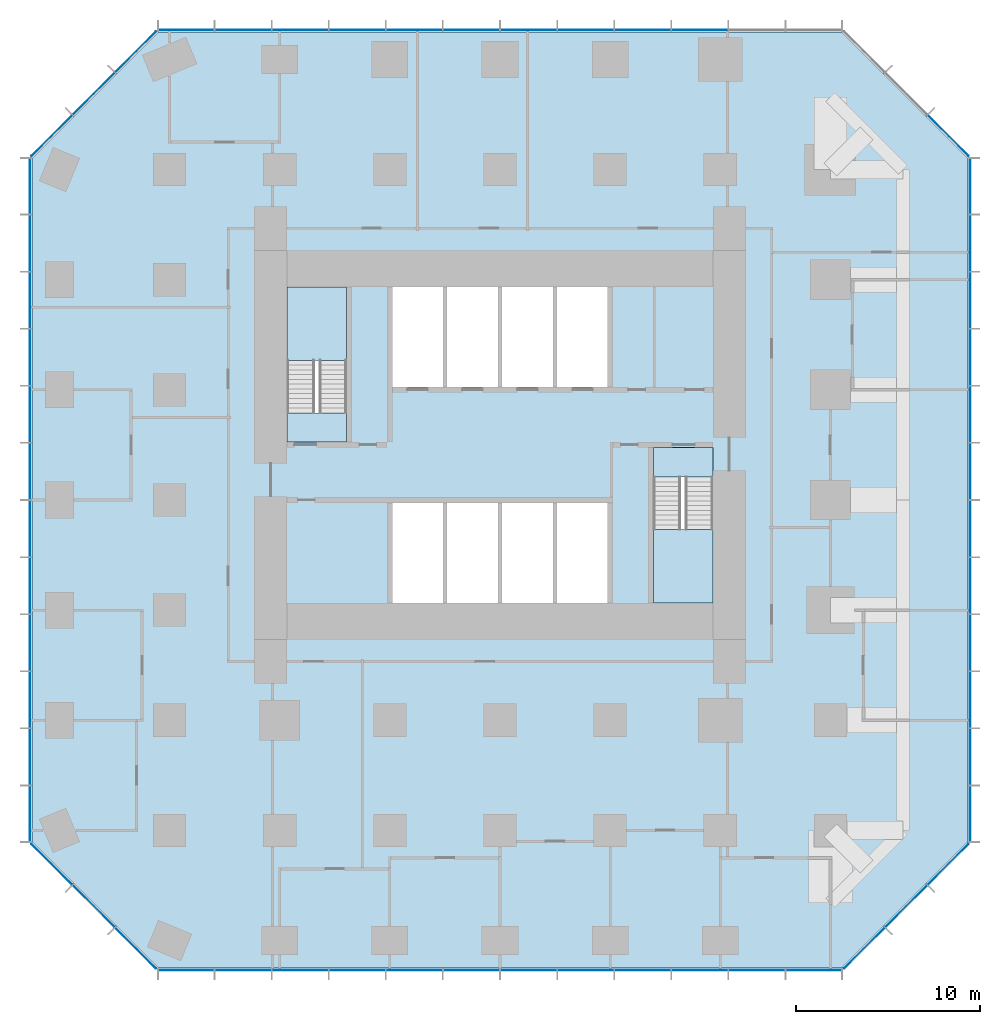
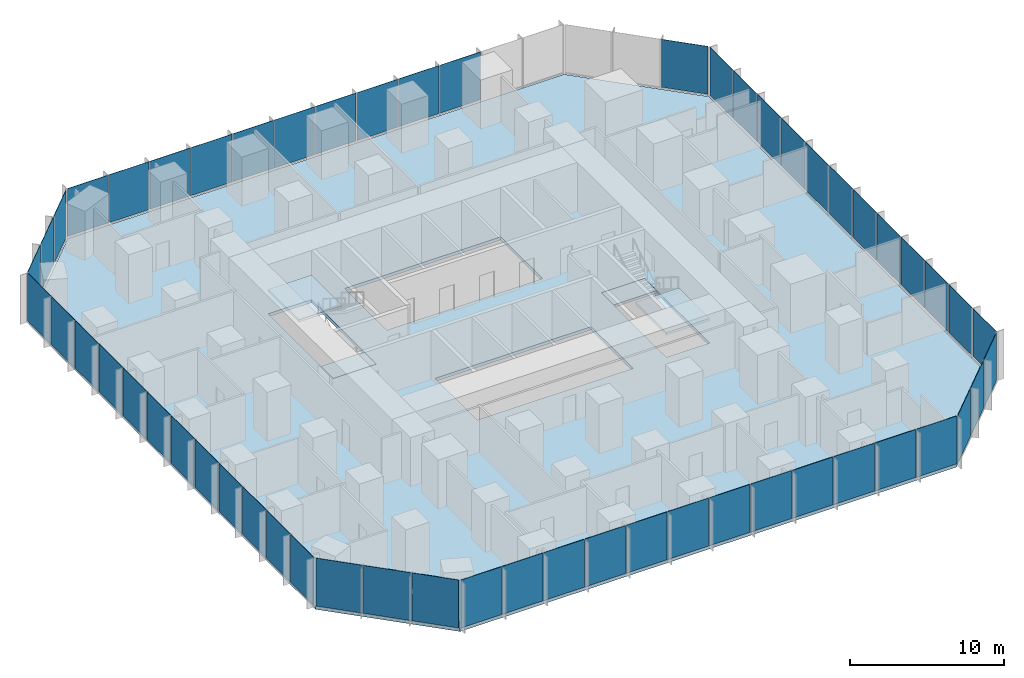
# One storey, part 7 of 12: 56 plates, 5 slabs, 10 elements without a shape of their own.
"""IFC4 building model written with IfcOpenShell, lengths in metres."""

from ifc_helpers import new_model, si_unit, direction, frame, origin, origin_2d, place, context, subcontext, project, spatial, polyline, rectangle, outline, extrude, material, layer, layer_set, type_object, element, aggregate, save


model = new_model("IFC4")

# Units and contexts
model_context = context("Model", 3, precision=1e-05, world=origin(), true_north=direction((0.0, 1.0)))
body_context = subcontext(model_context, "Body", "Model", "MODEL_VIEW")
ifc_project = project(units=[si_unit("LENGTHUNIT", "METRE"), si_unit("AREAUNIT", "SQUARE_METRE"), si_unit("VOLUMEUNIT", "CUBIC_METRE"), si_unit("PLANEANGLEUNIT", "RADIAN"), si_unit("MASSUNIT", "GRAM", prefix="KILO")], contexts=[model_context])

# Site, building, storey
site_placement = place(None, origin())
site = spatial("IfcSite", under=ifc_project, at=site_placement, CompositionType="ELEMENT")
building_placement = place(site_placement, origin())
building = spatial("IfcBuilding", under=site, at=building_placement, Name="Highveld Stack Headquarters", CompositionType="ELEMENT")
storey_placement = place(building_placement, frame((0.0, 0.0, 49.39990234375)))
storey = spatial("IfcBuildingStorey", under=building, at=storey_placement, Name="L11", CompositionType="ELEMENT", Elevation=49.39990234375)

# Curtain wall, plates
ifc_material_1 = material(Name="Aluminium bronze anodised", Category="aluminium")
ifc_layer_1 = layer(ifc_material_1, 0.199951171875)
ifc_layer_set_1 = layer_set([ifc_layer_1], Name="Aluminium bronze anodised")
curtain_wall_type_1 = type_object("IfcCurtainWallType", Name="CW1 TOWER UNITISED CURTAIN WALL", PredefinedType="NOTDEFINED", material=ifc_layer_set_1)
curtain_wall_1_placement = place(storey_placement, origin())
curtain_wall_1 = element("IfcCurtainWall", 1, at=curtain_wall_1_placement, inside=storey, type_object=curtain_wall_type_1, Name="Curtain wall CW1 L11 S", PredefinedType="NOTDEFINED")
ifc_material_2 = material(Name="Glass bronze tinted double glazed unit", Category="glass")
ifc_layer_2 = layer(ifc_material_2, 0.028076171875)
ifc_layer_set_2 = layer_set([ifc_layer_2], Name="Glass bronze tinted double glazed unit")
plate_type_1 = type_object("IfcPlateType", Name="CW1 PANEL BRONZE TINTED DOUBLE GLAZED UNIT", PredefinedType="CURTAIN_PANEL", material=ifc_layer_set_2)
plate_1_placement = place(storey_placement, frame((-11.09130859375, -25.60009765625, 0.10009765625), z_axis=(0.0, 0.0, 1.0), x_axis=(1.0, 0.0, 0.0)))
plate_1 = element("IfcPlate", 2, at=plate_1_placement, type_object=plate_type_1, Name="CW1 panel L11 1.1", PredefinedType="CURTAIN_PANEL", context=body_context, shape_type="SweptSolid", body=[
    extrude(rectangle(XDim=3.012939453125, YDim=0.028076171875, at=origin_2d()), origin(), (0.0, 0.0, 1.0), 3.800048828125),
])
plate_2_placement = place(storey_placement, frame((-7.9970703125, -25.60009765625, 0.10009765625), z_axis=(0.0, 0.0, 1.0), x_axis=(1.0, 0.0, 0.0)))
plate_2 = element("IfcPlate", 3, at=plate_2_placement, type_object=plate_type_1, Name="CW1 panel L11 2.1", PredefinedType="CURTAIN_PANEL", context=body_context, shape_type="SweptSolid", body=[
    extrude(rectangle(XDim=3.04541015625, YDim=0.028076171875, at=origin_2d()), origin(), (0.0, 0.0, 1.0), 3.800048828125),
])
plate_3_placement = place(storey_placement, frame((-4.88671875, -25.60009765625, 0.10009765625), z_axis=(0.0, 0.0, 1.0), x_axis=(1.0, 0.0, 0.0)))
plate_3 = element("IfcPlate", 4, at=plate_3_placement, type_object=plate_type_1, Name="CW1 panel L11 3.1", PredefinedType="CURTAIN_PANEL", context=body_context, shape_type="SweptSolid", body=[
    extrude(rectangle(XDim=3.04541015625, YDim=0.028076171875, at=origin_2d()), origin(), (0.0, 0.0, 1.0), 3.800048828125),
])
plate_4_placement = place(storey_placement, frame((-1.776123046875, -25.60009765625, 0.10009765625), z_axis=(0.0, 0.0, 1.0), x_axis=(1.0, 0.0, 0.0)))
plate_4 = element("IfcPlate", 5, at=plate_4_placement, type_object=plate_type_1, Name="CW1 panel L11 4.1", PredefinedType="CURTAIN_PANEL", context=body_context, shape_type="SweptSolid", body=[
    extrude(rectangle(XDim=3.04541015625, YDim=0.028076171875, at=origin_2d()), origin(), (0.0, 0.0, 1.0), 3.800048828125),
])
plate_5_placement = place(storey_placement, frame((1.334228515625, -25.60009765625, 0.10009765625), z_axis=(0.0, 0.0, 1.0), x_axis=(1.0, 0.0, 0.0)))
plate_5 = element("IfcPlate", 6, at=plate_5_placement, type_object=plate_type_1, Name="CW1 panel L11 5.1", PredefinedType="CURTAIN_PANEL", context=body_context, shape_type="SweptSolid", body=[
    extrude(rectangle(XDim=3.04541015625, YDim=0.028076171875, at=origin_2d()), origin(), (0.0, 0.0, 1.0), 3.800048828125),
])
plate_6_placement = place(storey_placement, frame((4.44482421875, -25.60009765625, 0.10009765625), z_axis=(0.0, 0.0, 1.0), x_axis=(1.0, 0.0, 0.0)))
plate_6 = element("IfcPlate", 7, at=plate_6_placement, type_object=plate_type_1, Name="CW1 panel L11 6.1", PredefinedType="CURTAIN_PANEL", context=body_context, shape_type="SweptSolid", body=[
    extrude(rectangle(XDim=3.04541015625, YDim=0.028076171875, at=origin_2d()), origin(), (0.0, 0.0, 1.0), 3.800048828125),
])
plate_7_placement = place(storey_placement, frame((7.55517578125, -25.60009765625, 0.10009765625), z_axis=(0.0, 0.0, 1.0), x_axis=(1.0, 0.0, 0.0)))
plate_7 = element("IfcPlate", 8, at=plate_7_placement, type_object=plate_type_1, Name="CW1 panel L11 7.1", PredefinedType="CURTAIN_PANEL", context=body_context, shape_type="SweptSolid", body=[
    extrude(rectangle(XDim=3.04541015625, YDim=0.028076171875, at=origin_2d()), origin(), (0.0, 0.0, 1.0), 3.800048828125),
])
plate_8_placement = place(storey_placement, frame((10.665771484375, -25.60009765625, 0.10009765625), z_axis=(0.0, 0.0, 1.0), x_axis=(1.0, 0.0, 0.0)))
plate_8 = element("IfcPlate", 9, at=plate_8_placement, type_object=plate_type_1, Name="CW1 panel L11 8.1", PredefinedType="CURTAIN_PANEL", context=body_context, shape_type="SweptSolid", body=[
    extrude(rectangle(XDim=3.04541015625, YDim=0.028076171875, at=origin_2d()), origin(), (0.0, 0.0, 1.0), 3.800048828125),
])
plate_9_placement = place(storey_placement, frame((13.776123046875, -25.60009765625, 0.10009765625), z_axis=(0.0, 0.0, 1.0), x_axis=(1.0, 0.0, 0.0)))
plate_9 = element("IfcPlate", 10, at=plate_9_placement, type_object=plate_type_1, Name="CW1 panel L11 9.1", PredefinedType="CURTAIN_PANEL", context=body_context, shape_type="SweptSolid", body=[
    extrude(rectangle(XDim=3.04541015625, YDim=0.028076171875, at=origin_2d()), origin(), (0.0, 0.0, 1.0), 3.800048828125),
])
plate_10_placement = place(storey_placement, frame((16.88671875, -25.60009765625, 0.10009765625), z_axis=(0.0, 0.0, 1.0), x_axis=(1.0, 0.0, 0.0)))
plate_10 = element("IfcPlate", 11, at=plate_10_placement, type_object=plate_type_1, Name="CW1 panel L11 10.1", PredefinedType="CURTAIN_PANEL", context=body_context, shape_type="SweptSolid", body=[
    extrude(rectangle(XDim=3.04541015625, YDim=0.028076171875, at=origin_2d()), origin(), (0.0, 0.0, 1.0), 3.800048828125),
])
plate_11_placement = place(storey_placement, frame((19.9970703125, -25.60009765625, 0.10009765625), z_axis=(0.0, 0.0, 1.0), x_axis=(1.0, 0.0, 0.0)))
plate_11 = element("IfcPlate", 12, at=plate_11_placement, type_object=plate_type_1, Name="CW1 panel L11 11.1", PredefinedType="CURTAIN_PANEL", context=body_context, shape_type="SweptSolid", body=[
    extrude(rectangle(XDim=3.04541015625, YDim=0.028076171875, at=origin_2d()), origin(), (0.0, 0.0, 1.0), 3.800048828125),
])
plate_12_placement = place(storey_placement, frame((23.09130859375, -25.60009765625, 0.10009765625), z_axis=(0.0, 0.0, 1.0), x_axis=(1.0, 0.0, 0.0)))
plate_12 = element("IfcPlate", 13, at=plate_12_placement, type_object=plate_type_1, Name="CW1 panel L11 12.1", PredefinedType="CURTAIN_PANEL", context=body_context, shape_type="SweptSolid", body=[
    extrude(rectangle(XDim=3.012939453125, YDim=0.028076171875, at=origin_2d()), origin(), (0.0, 0.0, 1.0), 3.800048828125),
])
aggregate(curtain_wall_1, [plate_1, plate_2, plate_3, plate_4, plate_5, plate_6, plate_7, plate_8, plate_9, plate_10, plate_11, plate_12])

curtain_wall_2_placement = place(storey_placement, origin())
curtain_wall_2 = element("IfcCurtainWall", 14, at=curtain_wall_2_placement, inside=storey, type_object=curtain_wall_type_1, Name="Curtain wall CW1 L11 E", PredefinedType="NOTDEFINED")
plate_13_placement = place(storey_placement, frame((31.60009765625, -17.09130859375, 0.10009765625), z_axis=(0.0, 0.0, 1.0), x_axis=(0.0, 1.0, 0.0)))
plate_13 = element("IfcPlate", 15, at=plate_13_placement, type_object=plate_type_1, Name="CW1 panel L11 1.1", PredefinedType="CURTAIN_PANEL", context=body_context, shape_type="SweptSolid", body=[
    extrude(rectangle(XDim=3.012939453125, YDim=0.028076171875, at=origin_2d()), origin(), (0.0, 0.0, 1.0), 3.800048828125),
])
plate_14_placement = place(storey_placement, frame((31.60009765625, -13.9970703125, 0.10009765625), z_axis=(0.0, 0.0, 1.0), x_axis=(0.0, 1.0, 0.0)))
plate_14 = element("IfcPlate", 16, at=plate_14_placement, type_object=plate_type_1, Name="CW1 panel L11 2.1", PredefinedType="CURTAIN_PANEL", context=body_context, shape_type="SweptSolid", body=[
    extrude(rectangle(XDim=3.04541015625, YDim=0.028076171875, at=origin_2d()), origin(), (0.0, 0.0, 1.0), 3.800048828125),
])
plate_15_placement = place(storey_placement, frame((31.60009765625, -10.88671875, 0.10009765625), z_axis=(0.0, 0.0, 1.0), x_axis=(0.0, 1.0, 0.0)))
plate_15 = element("IfcPlate", 17, at=plate_15_placement, type_object=plate_type_1, Name="CW1 panel L11 3.1", PredefinedType="CURTAIN_PANEL", context=body_context, shape_type="SweptSolid", body=[
    extrude(rectangle(XDim=3.04541015625, YDim=0.028076171875, at=origin_2d()), origin(), (0.0, 0.0, 1.0), 3.800048828125),
])
plate_16_placement = place(storey_placement, frame((31.60009765625, -7.776123046875, 0.10009765625), z_axis=(0.0, 0.0, 1.0), x_axis=(0.0, 1.0, 0.0)))
plate_16 = element("IfcPlate", 18, at=plate_16_placement, type_object=plate_type_1, Name="CW1 panel L11 4.1", PredefinedType="CURTAIN_PANEL", context=body_context, shape_type="SweptSolid", body=[
    extrude(rectangle(XDim=3.04541015625, YDim=0.028076171875, at=origin_2d()), origin(), (0.0, 0.0, 1.0), 3.800048828125),
])
plate_17_placement = place(storey_placement, frame((31.60009765625, -4.665771484375, 0.10009765625), z_axis=(0.0, 0.0, 1.0), x_axis=(0.0, 1.0, 0.0)))
plate_17 = element("IfcPlate", 19, at=plate_17_placement, type_object=plate_type_1, Name="CW1 panel L11 5.1", PredefinedType="CURTAIN_PANEL", context=body_context, shape_type="SweptSolid", body=[
    extrude(rectangle(XDim=3.04541015625, YDim=0.028076171875, at=origin_2d()), origin(), (0.0, 0.0, 1.0), 3.800048828125),
])
plate_18_placement = place(storey_placement, frame((31.60009765625, -1.55517578125, 0.10009765625), z_axis=(0.0, 0.0, 1.0), x_axis=(0.0, 1.0, 0.0)))
plate_18 = element("IfcPlate", 20, at=plate_18_placement, type_object=plate_type_1, Name="CW1 panel L11 6.1", PredefinedType="CURTAIN_PANEL", context=body_context, shape_type="SweptSolid", body=[
    extrude(rectangle(XDim=3.04541015625, YDim=0.028076171875, at=origin_2d()), origin(), (0.0, 0.0, 1.0), 3.800048828125),
])
plate_19_placement = place(storey_placement, frame((31.60009765625, 1.55517578125, 0.10009765625), z_axis=(0.0, 0.0, 1.0), x_axis=(0.0, 1.0, 0.0)))
plate_19 = element("IfcPlate", 21, at=plate_19_placement, type_object=plate_type_1, Name="CW1 panel L11 7.1", PredefinedType="CURTAIN_PANEL", context=body_context, shape_type="SweptSolid", body=[
    extrude(rectangle(XDim=3.04541015625, YDim=0.028076171875, at=origin_2d()), origin(), (0.0, 0.0, 1.0), 3.800048828125),
])
plate_20_placement = place(storey_placement, frame((31.60009765625, 4.665771484375, 0.10009765625), z_axis=(0.0, 0.0, 1.0), x_axis=(0.0, 1.0, 0.0)))
plate_20 = element("IfcPlate", 22, at=plate_20_placement, type_object=plate_type_1, Name="CW1 panel L11 8.1", PredefinedType="CURTAIN_PANEL", context=body_context, shape_type="SweptSolid", body=[
    extrude(rectangle(XDim=3.04541015625, YDim=0.028076171875, at=origin_2d()), origin(), (0.0, 0.0, 1.0), 3.800048828125),
])
plate_21_placement = place(storey_placement, frame((31.60009765625, 7.776123046875, 0.10009765625), z_axis=(0.0, 0.0, 1.0), x_axis=(0.0, 1.0, 0.0)))
plate_21 = element("IfcPlate", 23, at=plate_21_placement, type_object=plate_type_1, Name="CW1 panel L11 9.1", PredefinedType="CURTAIN_PANEL", context=body_context, shape_type="SweptSolid", body=[
    extrude(rectangle(XDim=3.04541015625, YDim=0.028076171875, at=origin_2d()), origin(), (0.0, 0.0, 1.0), 3.800048828125),
])
plate_22_placement = place(storey_placement, frame((31.60009765625, 10.88671875, 0.10009765625), z_axis=(0.0, 0.0, 1.0), x_axis=(0.0, 1.0, 0.0)))
plate_22 = element("IfcPlate", 24, at=plate_22_placement, type_object=plate_type_1, Name="CW1 panel L11 10.1", PredefinedType="CURTAIN_PANEL", context=body_context, shape_type="SweptSolid", body=[
    extrude(rectangle(XDim=3.04541015625, YDim=0.028076171875, at=origin_2d()), origin(), (0.0, 0.0, 1.0), 3.800048828125),
])
plate_23_placement = place(storey_placement, frame((31.60009765625, 13.9970703125, 0.10009765625), z_axis=(0.0, 0.0, 1.0), x_axis=(0.0, 1.0, 0.0)))
plate_23 = element("IfcPlate", 25, at=plate_23_placement, type_object=plate_type_1, Name="CW1 panel L11 11.1", PredefinedType="CURTAIN_PANEL", context=body_context, shape_type="SweptSolid", body=[
    extrude(rectangle(XDim=3.04541015625, YDim=0.028076171875, at=origin_2d()), origin(), (0.0, 0.0, 1.0), 3.800048828125),
])
plate_24_placement = place(storey_placement, frame((31.60009765625, 17.09130859375, 0.10009765625), z_axis=(0.0, 0.0, 1.0), x_axis=(0.0, 1.0, 0.0)))
plate_24 = element("IfcPlate", 26, at=plate_24_placement, type_object=plate_type_1, Name="CW1 panel L11 12.1", PredefinedType="CURTAIN_PANEL", context=body_context, shape_type="SweptSolid", body=[
    extrude(rectangle(XDim=3.012939453125, YDim=0.028076171875, at=origin_2d()), origin(), (0.0, 0.0, 1.0), 3.800048828125),
])
aggregate(curtain_wall_2, [plate_13, plate_14, plate_15, plate_16, plate_17, plate_18, plate_19, plate_20, plate_21, plate_22, plate_23, plate_24])

curtain_wall_3_placement = place(storey_placement, origin())
curtain_wall_3 = element("IfcCurtainWall", 27, at=curtain_wall_3_placement, inside=storey, type_object=curtain_wall_type_1, Name="Curtain wall CW1 L11 N", PredefinedType="NOTDEFINED")
plate_25_placement = place(storey_placement, frame((16.88671875, 25.60009765625, 0.10009765625), z_axis=(0.0, 0.0, 1.0), x_axis=(-1.0, 0.0, 0.0)))
plate_25 = element("IfcPlate", 28, at=plate_25_placement, type_object=plate_type_1, Name="CW1 panel L11 3.1", PredefinedType="CURTAIN_PANEL", context=body_context, shape_type="SweptSolid", body=[
    extrude(rectangle(XDim=3.04541015625, YDim=0.028076171875, at=origin_2d()), origin(), (0.0, 0.0, 1.0), 3.800048828125),
])
plate_26_placement = place(storey_placement, frame((13.776123046875, 25.60009765625, 0.10009765625), z_axis=(0.0, 0.0, 1.0), x_axis=(-1.0, 0.0, 0.0)))
plate_26 = element("IfcPlate", 29, at=plate_26_placement, type_object=plate_type_1, Name="CW1 panel L11 4.1", PredefinedType="CURTAIN_PANEL", context=body_context, shape_type="SweptSolid", body=[
    extrude(rectangle(XDim=3.04541015625, YDim=0.028076171875, at=origin_2d()), origin(), (0.0, 0.0, 1.0), 3.800048828125),
])
plate_27_placement = place(storey_placement, frame((10.665771484375, 25.60009765625, 0.10009765625), z_axis=(0.0, 0.0, 1.0), x_axis=(-1.0, 0.0, 0.0)))
plate_27 = element("IfcPlate", 30, at=plate_27_placement, type_object=plate_type_1, Name="CW1 panel L11 5.1", PredefinedType="CURTAIN_PANEL", context=body_context, shape_type="SweptSolid", body=[
    extrude(rectangle(XDim=3.04541015625, YDim=0.028076171875, at=origin_2d()), origin(), (0.0, 0.0, 1.0), 3.800048828125),
])
plate_28_placement = place(storey_placement, frame((7.55517578125, 25.60009765625, 0.10009765625), z_axis=(0.0, 0.0, 1.0), x_axis=(-1.0, 0.0, 0.0)))
plate_28 = element("IfcPlate", 31, at=plate_28_placement, type_object=plate_type_1, Name="CW1 panel L11 6.1", PredefinedType="CURTAIN_PANEL", context=body_context, shape_type="SweptSolid", body=[
    extrude(rectangle(XDim=3.04541015625, YDim=0.028076171875, at=origin_2d()), origin(), (0.0, 0.0, 1.0), 3.800048828125),
])
plate_29_placement = place(storey_placement, frame((4.44482421875, 25.60009765625, 0.10009765625), z_axis=(0.0, 0.0, 1.0), x_axis=(-1.0, 0.0, 0.0)))
plate_29 = element("IfcPlate", 32, at=plate_29_placement, type_object=plate_type_1, Name="CW1 panel L11 7.1", PredefinedType="CURTAIN_PANEL", context=body_context, shape_type="SweptSolid", body=[
    extrude(rectangle(XDim=3.04541015625, YDim=0.028076171875, at=origin_2d()), origin(), (0.0, 0.0, 1.0), 3.800048828125),
])
plate_30_placement = place(storey_placement, frame((1.334228515625, 25.60009765625, 0.10009765625), z_axis=(0.0, 0.0, 1.0), x_axis=(-1.0, 0.0, 0.0)))
plate_30 = element("IfcPlate", 33, at=plate_30_placement, type_object=plate_type_1, Name="CW1 panel L11 8.1", PredefinedType="CURTAIN_PANEL", context=body_context, shape_type="SweptSolid", body=[
    extrude(rectangle(XDim=3.04541015625, YDim=0.028076171875, at=origin_2d()), origin(), (0.0, 0.0, 1.0), 3.800048828125),
])
plate_31_placement = place(storey_placement, frame((-1.776123046875, 25.60009765625, 0.10009765625), z_axis=(0.0, 0.0, 1.0), x_axis=(-1.0, 0.0, 0.0)))
plate_31 = element("IfcPlate", 34, at=plate_31_placement, type_object=plate_type_1, Name="CW1 panel L11 9.1", PredefinedType="CURTAIN_PANEL", context=body_context, shape_type="SweptSolid", body=[
    extrude(rectangle(XDim=3.04541015625, YDim=0.028076171875, at=origin_2d()), origin(), (0.0, 0.0, 1.0), 3.800048828125),
])
plate_32_placement = place(storey_placement, frame((-4.88671875, 25.60009765625, 0.10009765625), z_axis=(0.0, 0.0, 1.0), x_axis=(-1.0, 0.0, 0.0)))
plate_32 = element("IfcPlate", 35, at=plate_32_placement, type_object=plate_type_1, Name="CW1 panel L11 10.1", PredefinedType="CURTAIN_PANEL", context=body_context, shape_type="SweptSolid", body=[
    extrude(rectangle(XDim=3.04541015625, YDim=0.028076171875, at=origin_2d()), origin(), (0.0, 0.0, 1.0), 3.800048828125),
])
plate_33_placement = place(storey_placement, frame((-7.9970703125, 25.60009765625, 0.10009765625), z_axis=(0.0, 0.0, 1.0), x_axis=(-1.0, 0.0, 0.0)))
plate_33 = element("IfcPlate", 36, at=plate_33_placement, type_object=plate_type_1, Name="CW1 panel L11 11.1", PredefinedType="CURTAIN_PANEL", context=body_context, shape_type="SweptSolid", body=[
    extrude(rectangle(XDim=3.04541015625, YDim=0.028076171875, at=origin_2d()), origin(), (0.0, 0.0, 1.0), 3.800048828125),
])
plate_34_placement = place(storey_placement, frame((-11.09130859375, 25.60009765625, 0.10009765625), z_axis=(0.0, 0.0, 1.0), x_axis=(-1.0, 0.0, 0.0)))
plate_34 = element("IfcPlate", 37, at=plate_34_placement, type_object=plate_type_1, Name="CW1 panel L11 12.1", PredefinedType="CURTAIN_PANEL", context=body_context, shape_type="SweptSolid", body=[
    extrude(rectangle(XDim=3.012939453125, YDim=0.028076171875, at=origin_2d()), origin(), (0.0, 0.0, 1.0), 3.800048828125),
])
aggregate(curtain_wall_3, [plate_25, plate_26, plate_27, plate_28, plate_29, plate_30, plate_31, plate_32, plate_33, plate_34])

curtain_wall_4_placement = place(storey_placement, origin())
curtain_wall_4 = element("IfcCurtainWall", 38, at=curtain_wall_4_placement, inside=storey, type_object=curtain_wall_type_1, Name="Curtain wall CW1 L11 W", PredefinedType="NOTDEFINED")
plate_35_placement = place(storey_placement, frame((-19.60009765625, 17.09130859375, 0.10009765625), z_axis=(0.0, 0.0, 1.0), x_axis=(0.0, -1.0, 0.0)))
plate_35 = element("IfcPlate", 39, at=plate_35_placement, type_object=plate_type_1, Name="CW1 panel L11 1.1", PredefinedType="CURTAIN_PANEL", context=body_context, shape_type="SweptSolid", body=[
    extrude(rectangle(XDim=3.012939453125, YDim=0.028076171875, at=origin_2d()), origin(), (0.0, 0.0, 1.0), 3.800048828125),
])
plate_36_placement = place(storey_placement, frame((-19.60009765625, 13.9970703125, 0.10009765625), z_axis=(0.0, 0.0, 1.0), x_axis=(0.0, -1.0, 0.0)))
plate_36 = element("IfcPlate", 40, at=plate_36_placement, type_object=plate_type_1, Name="CW1 panel L11 2.1", PredefinedType="CURTAIN_PANEL", context=body_context, shape_type="SweptSolid", body=[
    extrude(rectangle(XDim=3.04541015625, YDim=0.028076171875, at=origin_2d()), origin(), (0.0, 0.0, 1.0), 3.800048828125),
])
plate_37_placement = place(storey_placement, frame((-19.60009765625, 10.88671875, 0.10009765625), z_axis=(0.0, 0.0, 1.0), x_axis=(0.0, -1.0, 0.0)))
plate_37 = element("IfcPlate", 41, at=plate_37_placement, type_object=plate_type_1, Name="CW1 panel L11 3.1", PredefinedType="CURTAIN_PANEL", context=body_context, shape_type="SweptSolid", body=[
    extrude(rectangle(XDim=3.04541015625, YDim=0.028076171875, at=origin_2d()), origin(), (0.0, 0.0, 1.0), 3.800048828125),
])
plate_38_placement = place(storey_placement, frame((-19.60009765625, 7.776123046875, 0.10009765625), z_axis=(0.0, 0.0, 1.0), x_axis=(0.0, -1.0, 0.0)))
plate_38 = element("IfcPlate", 42, at=plate_38_placement, type_object=plate_type_1, Name="CW1 panel L11 4.1", PredefinedType="CURTAIN_PANEL", context=body_context, shape_type="SweptSolid", body=[
    extrude(rectangle(XDim=3.04541015625, YDim=0.028076171875, at=origin_2d()), origin(), (0.0, 0.0, 1.0), 3.800048828125),
])
plate_39_placement = place(storey_placement, frame((-19.60009765625, 4.665771484375, 0.10009765625), z_axis=(0.0, 0.0, 1.0), x_axis=(0.0, -1.0, 0.0)))
plate_39 = element("IfcPlate", 43, at=plate_39_placement, type_object=plate_type_1, Name="CW1 panel L11 5.1", PredefinedType="CURTAIN_PANEL", context=body_context, shape_type="SweptSolid", body=[
    extrude(rectangle(XDim=3.04541015625, YDim=0.028076171875, at=origin_2d()), origin(), (0.0, 0.0, 1.0), 3.800048828125),
])
plate_40_placement = place(storey_placement, frame((-19.60009765625, 1.55517578125, 0.10009765625), z_axis=(0.0, 0.0, 1.0), x_axis=(0.0, -1.0, 0.0)))
plate_40 = element("IfcPlate", 44, at=plate_40_placement, type_object=plate_type_1, Name="CW1 panel L11 6.1", PredefinedType="CURTAIN_PANEL", context=body_context, shape_type="SweptSolid", body=[
    extrude(rectangle(XDim=3.04541015625, YDim=0.028076171875, at=origin_2d()), origin(), (0.0, 0.0, 1.0), 3.800048828125),
])
plate_41_placement = place(storey_placement, frame((-19.60009765625, -1.55517578125, 0.10009765625), z_axis=(0.0, 0.0, 1.0), x_axis=(0.0, -1.0, 0.0)))
plate_41 = element("IfcPlate", 45, at=plate_41_placement, type_object=plate_type_1, Name="CW1 panel L11 7.1", PredefinedType="CURTAIN_PANEL", context=body_context, shape_type="SweptSolid", body=[
    extrude(rectangle(XDim=3.04541015625, YDim=0.028076171875, at=origin_2d()), origin(), (0.0, 0.0, 1.0), 3.800048828125),
])
plate_42_placement = place(storey_placement, frame((-19.60009765625, -4.665771484375, 0.10009765625), z_axis=(0.0, 0.0, 1.0), x_axis=(0.0, -1.0, 0.0)))
plate_42 = element("IfcPlate", 46, at=plate_42_placement, type_object=plate_type_1, Name="CW1 panel L11 8.1", PredefinedType="CURTAIN_PANEL", context=body_context, shape_type="SweptSolid", body=[
    extrude(rectangle(XDim=3.04541015625, YDim=0.028076171875, at=origin_2d()), origin(), (0.0, 0.0, 1.0), 3.800048828125),
])
plate_43_placement = place(storey_placement, frame((-19.60009765625, -7.776123046875, 0.10009765625), z_axis=(0.0, 0.0, 1.0), x_axis=(0.0, -1.0, 0.0)))
plate_43 = element("IfcPlate", 47, at=plate_43_placement, type_object=plate_type_1, Name="CW1 panel L11 9.1", PredefinedType="CURTAIN_PANEL", context=body_context, shape_type="SweptSolid", body=[
    extrude(rectangle(XDim=3.04541015625, YDim=0.028076171875, at=origin_2d()), origin(), (0.0, 0.0, 1.0), 3.800048828125),
])
plate_44_placement = place(storey_placement, frame((-19.60009765625, -10.88671875, 0.10009765625), z_axis=(0.0, 0.0, 1.0), x_axis=(0.0, -1.0, 0.0)))
plate_44 = element("IfcPlate", 48, at=plate_44_placement, type_object=plate_type_1, Name="CW1 panel L11 10.1", PredefinedType="CURTAIN_PANEL", context=body_context, shape_type="SweptSolid", body=[
    extrude(rectangle(XDim=3.04541015625, YDim=0.028076171875, at=origin_2d()), origin(), (0.0, 0.0, 1.0), 3.800048828125),
])
plate_45_placement = place(storey_placement, frame((-19.60009765625, -13.9970703125, 0.10009765625), z_axis=(0.0, 0.0, 1.0), x_axis=(0.0, -1.0, 0.0)))
plate_45 = element("IfcPlate", 49, at=plate_45_placement, type_object=plate_type_1, Name="CW1 panel L11 11.1", PredefinedType="CURTAIN_PANEL", context=body_context, shape_type="SweptSolid", body=[
    extrude(rectangle(XDim=3.04541015625, YDim=0.028076171875, at=origin_2d()), origin(), (0.0, 0.0, 1.0), 3.800048828125),
])
plate_46_placement = place(storey_placement, frame((-19.60009765625, -17.09130859375, 0.10009765625), z_axis=(0.0, 0.0, 1.0), x_axis=(0.0, -1.0, 0.0)))
plate_46 = element("IfcPlate", 50, at=plate_46_placement, type_object=plate_type_1, Name="CW1 panel L11 12.1", PredefinedType="CURTAIN_PANEL", context=body_context, shape_type="SweptSolid", body=[
    extrude(rectangle(XDim=3.012939453125, YDim=0.028076171875, at=origin_2d()), origin(), (0.0, 0.0, 1.0), 3.800048828125),
])
aggregate(curtain_wall_4, [plate_35, plate_36, plate_37, plate_38, plate_39, plate_40, plate_41, plate_42, plate_43, plate_44, plate_45, plate_46])

ifc_material_3 = material(Name="Aluminium bronze anodised", Category="aluminium")
ifc_layer_3 = layer(ifc_material_3, 0.199951171875)
ifc_layer_set_3 = layer_set([ifc_layer_3], Name="Aluminium bronze anodised")
curtain_wall_type_2 = type_object("IfcCurtainWallType", Name="CW2 TOWER CHAMFER UNITISED CURTAIN WALL", PredefinedType="NOTDEFINED", material=ifc_layer_set_3)
curtain_wall_5_placement = place(storey_placement, origin())
curtain_wall_5 = element("IfcCurtainWall", 51, at=curtain_wall_5_placement, inside=storey, type_object=curtain_wall_type_2, Name="Curtain wall CW2 L11 SE", PredefinedType="NOTDEFINED")
ifc_material_4 = material(Name="Glass bronze tinted double glazed unit", Category="glass")
ifc_layer_4 = layer(ifc_material_4, 0.028076171875)
ifc_layer_set_4 = layer_set([ifc_layer_4], Name="Glass bronze tinted double glazed unit")
plate_type_2 = type_object("IfcPlateType", Name="CW2 PANEL BRONZE TINTED DOUBLE GLAZED UNIT", PredefinedType="CURTAIN_PANEL", material=ifc_layer_set_4)
plate_47_placement = place(storey_placement, frame((25.8427734375, -24.419921875, 0.10009765625), z_axis=(0.0, 0.0, 1.0), x_axis=(0.707106781187, 0.707106781187, 0.0)))
plate_47 = element("IfcPlate", 52, at=plate_47_placement, type_object=plate_type_2, Name="CW2 panel L11 1.1", PredefinedType="CURTAIN_PANEL", context=body_context, shape_type="SweptSolid", body=[
    extrude(rectangle(XDim=3.1376953125, YDim=0.028076171875, at=origin_2d()), origin(), (0.0, 0.0, 1.0), 3.800048828125),
])
plate_48_placement = place(storey_placement, frame((28.13134765625, -22.13134765625, 0.10009765625), z_axis=(0.0, 0.0, 1.0), x_axis=(0.707106781187, 0.707106781187, 0.0)))
plate_48 = element("IfcPlate", 53, at=plate_48_placement, type_object=plate_type_2, Name="CW2 panel L11 2.1", PredefinedType="CURTAIN_PANEL", context=body_context, shape_type="SweptSolid", body=[
    extrude(rectangle(XDim=3.205322265625, YDim=0.028076171875, at=origin_2d()), origin(), (0.0, 0.0, 1.0), 3.800048828125),
])
plate_49_placement = place(storey_placement, frame((30.419921875, -19.8427734375, 0.10009765625), z_axis=(0.0, 0.0, 1.0), x_axis=(0.707106781187, 0.707106781187, 0.0)))
plate_49 = element("IfcPlate", 54, at=plate_49_placement, type_object=plate_type_2, Name="CW2 panel L11 3.1", PredefinedType="CURTAIN_PANEL", context=body_context, shape_type="SweptSolid", body=[
    extrude(rectangle(XDim=3.1376953125, YDim=0.028076171875, at=origin_2d()), origin(), (0.0, 0.0, 1.0), 3.800048828125),
])
aggregate(curtain_wall_5, [plate_47, plate_48, plate_49])

# Curtain wall, plate
curtain_wall_6_placement = place(storey_placement, origin())
curtain_wall_6 = element("IfcCurtainWall", 55, at=curtain_wall_6_placement, inside=storey, type_object=curtain_wall_type_2, Name="Curtain wall CW2 L11 NE", PredefinedType="NOTDEFINED")
plate_50_placement = place(storey_placement, frame((30.419921875, 19.8427734375, 0.10009765625), z_axis=(0.0, 0.0, 1.0), x_axis=(-0.707106781187, 0.707106781187, 0.0)))
plate_50 = element("IfcPlate", 56, at=plate_50_placement, type_object=plate_type_2, Name="CW2 panel L11 1.1", PredefinedType="CURTAIN_PANEL", context=body_context, shape_type="SweptSolid", body=[
    extrude(rectangle(XDim=3.1376953125, YDim=0.028076171875, at=origin_2d()), origin(), (0.0, 0.0, 1.0), 3.800048828125),
])
aggregate(curtain_wall_6, [plate_50])

# Curtain wall, plates
curtain_wall_7_placement = place(storey_placement, origin())
curtain_wall_7 = element("IfcCurtainWall", 57, at=curtain_wall_7_placement, inside=storey, type_object=curtain_wall_type_2, Name="Curtain wall CW2 L11 NW", PredefinedType="NOTDEFINED")
plate_51_placement = place(storey_placement, frame((-13.8427734375, 24.419921875, 0.10009765625), z_axis=(0.0, 0.0, 1.0), x_axis=(-0.707106781187, -0.707106781187, 0.0)))
plate_51 = element("IfcPlate", 58, at=plate_51_placement, type_object=plate_type_2, Name="CW2 panel L11 1.1", PredefinedType="CURTAIN_PANEL", context=body_context, shape_type="SweptSolid", body=[
    extrude(rectangle(XDim=3.1376953125, YDim=0.028076171875, at=origin_2d()), origin(), (0.0, 0.0, 1.0), 3.800048828125),
])
plate_52_placement = place(storey_placement, frame((-16.13134765625, 22.13134765625, 0.10009765625), z_axis=(0.0, 0.0, 1.0), x_axis=(-0.707106781187, -0.707106781187, 0.0)))
plate_52 = element("IfcPlate", 59, at=plate_52_placement, type_object=plate_type_2, Name="CW2 panel L11 2.1", PredefinedType="CURTAIN_PANEL", context=body_context, shape_type="SweptSolid", body=[
    extrude(rectangle(XDim=3.205322265625, YDim=0.028076171875, at=origin_2d()), origin(), (0.0, 0.0, 1.0), 3.800048828125),
])
plate_53_placement = place(storey_placement, frame((-18.419921875, 19.8427734375, 0.10009765625), z_axis=(0.0, 0.0, 1.0), x_axis=(-0.707106781187, -0.707106781187, 0.0)))
plate_53 = element("IfcPlate", 60, at=plate_53_placement, type_object=plate_type_2, Name="CW2 panel L11 3.1", PredefinedType="CURTAIN_PANEL", context=body_context, shape_type="SweptSolid", body=[
    extrude(rectangle(XDim=3.1376953125, YDim=0.028076171875, at=origin_2d()), origin(), (0.0, 0.0, 1.0), 3.800048828125),
])
aggregate(curtain_wall_7, [plate_51, plate_52, plate_53])

curtain_wall_8_placement = place(storey_placement, origin())
curtain_wall_8 = element("IfcCurtainWall", 61, at=curtain_wall_8_placement, inside=storey, type_object=curtain_wall_type_2, Name="Curtain wall CW2 L11 SW", PredefinedType="NOTDEFINED")
plate_54_placement = place(storey_placement, frame((-18.419921875, -19.8427734375, 0.10009765625), z_axis=(0.0, 0.0, 1.0), x_axis=(0.707106781187, -0.707106781187, 0.0)))
plate_54 = element("IfcPlate", 62, at=plate_54_placement, type_object=plate_type_2, Name="CW2 panel L11 1.1", PredefinedType="CURTAIN_PANEL", context=body_context, shape_type="SweptSolid", body=[
    extrude(rectangle(XDim=3.1376953125, YDim=0.028076171875, at=origin_2d()), origin(), (0.0, 0.0, 1.0), 3.800048828125),
])
plate_55_placement = place(storey_placement, frame((-16.13134765625, -22.13134765625, 0.10009765625), z_axis=(0.0, 0.0, 1.0), x_axis=(0.707106781187, -0.707106781187, 0.0)))
plate_55 = element("IfcPlate", 63, at=plate_55_placement, type_object=plate_type_2, Name="CW2 panel L11 2.1", PredefinedType="CURTAIN_PANEL", context=body_context, shape_type="SweptSolid", body=[
    extrude(rectangle(XDim=3.205322265625, YDim=0.028076171875, at=origin_2d()), origin(), (0.0, 0.0, 1.0), 3.800048828125),
])
plate_56_placement = place(storey_placement, frame((-13.8427734375, -24.419921875, 0.10009765625), z_axis=(0.0, 0.0, 1.0), x_axis=(0.707106781187, -0.707106781187, 0.0)))
plate_56 = element("IfcPlate", 64, at=plate_56_placement, type_object=plate_type_2, Name="CW2 panel L11 3.1", PredefinedType="CURTAIN_PANEL", context=body_context, shape_type="SweptSolid", body=[
    extrude(rectangle(XDim=3.1376953125, YDim=0.028076171875, at=origin_2d()), origin(), (0.0, 0.0, 1.0), 3.800048828125),
])
aggregate(curtain_wall_8, [plate_54, plate_55, plate_56])

# Slab
ifc_material_5 = material(Name="Concrete C60/75", Category="concrete")
ifc_layer_5 = layer(ifc_material_5, 0.25)
ifc_layer_set_5 = layer_set([ifc_layer_5], Name="Concrete C60/75")
slab_type_1 = type_object("IfcSlabType", Name="PT FLAT SLAB 250", PredefinedType="FLOOR", material=ifc_layer_set_5)
slab_1_placement = place(storey_placement, frame((0.0, 0.0, -0.25)))
element("IfcSlab", 65, at=slab_1_placement, inside=storey, type_object=slab_type_1, Name="Floor slab L11", PredefinedType="FLOOR", context=body_context, shape_type="SweptSolid", body=[
    extrude(outline(polyline([(-12.621337890625, -25.5), (24.621337890625, -25.5), (31.5, -18.621337890625), (31.5, 18.621337890625), (24.621337890625, 25.5), (-12.621337890625, 25.5), (-19.5, 18.621337890625), (-19.5, -18.621337890625), (-12.621337890625, -25.5)]), holes=[polyline([(0.14990234375, 6.14990234375), (11.85009765625, 6.14990234375), (11.85009765625, 11.60009765625), (0.14990234375, 11.60009765625), (0.14990234375, 6.14990234375)]), polyline([(0.14990234375, -5.60009765625), (11.85009765625, -5.60009765625), (11.85009765625, -0.14990234375), (0.14990234375, -0.14990234375), (0.14990234375, -5.60009765625)]), polyline([(-5.60009765625, 3.14990234375), (-2.35009765625, 3.14990234375), (-2.35009765625, 11.60009765625), (-5.60009765625, 11.60009765625), (-5.60009765625, 3.14990234375)]), polyline([(14.35009765625, -5.60009765625), (17.60009765625, -5.60009765625), (17.60009765625, 2.85009765625), (14.35009765625, 2.85009765625), (14.35009765625, -5.60009765625)])]), origin(), (0.0, 0.0, 1.0), 0.25),
])

# Stair, slabs
ifc_material_6 = material(Name="Concrete C40/50, precast", Category="concrete")
stair_type_1 = type_object("IfcStairType", Name="STAIR S1 HALF TURN 1500", PredefinedType="HALF_TURN_STAIR", material=ifc_material_6)
stair_1_placement = place(storey_placement, origin())
stair_1 = element("IfcStair", 66, at=stair_1_placement, inside=storey, type_object=stair_type_1, Name="Stair S1 L11", PredefinedType="HALF_TURN_STAIR")
ifc_material_7 = material(Name="Concrete C40/50, precast", Category="concrete")
ifc_layer_6 = layer(ifc_material_7, 0.199951171875)
ifc_layer_set_6 = layer_set([ifc_layer_6], Name="Concrete C40/50, precast")
slab_type_2 = type_object("IfcSlabType", Name="STAIR LANDING 200", PredefinedType="LANDING", material=ifc_layer_set_6)
slab_2_placement = place(storey_placement, frame((0.0, 0.0, 1.75)))
slab_2 = element("IfcSlab", 67, at=slab_2_placement, type_object=slab_type_2, Name="S1 landing 1", PredefinedType="LANDING", context=body_context, shape_type="SweptSolid", body=[
    extrude(outline(polyline([(-5.60009765625, 7.610107421875), (-2.35009765625, 7.610107421875), (-2.35009765625, 11.60009765625), (-5.60009765625, 11.60009765625), (-5.60009765625, 7.610107421875)])), origin(), (0.0, 0.0, 1.0), 0.2001953125),
])
slab_3_placement = place(storey_placement, frame((0.0, 0.0, -0.199951171875)))
slab_3 = element("IfcSlab", 68, at=slab_3_placement, type_object=slab_type_2, Name="S1 landing 2", PredefinedType="LANDING", context=body_context, shape_type="SweptSolid", body=[
    extrude(outline(polyline([(-5.60009765625, 3.14990234375), (-2.35009765625, 3.14990234375), (-2.35009765625, 4.75), (-5.60009765625, 4.75), (-5.60009765625, 3.14990234375)])), origin(), (0.0, 0.0, 1.0), 0.199951171875),
])
aggregate(stair_1, [slab_2, slab_3])

ifc_material_8 = material(Name="Concrete C40/50, precast", Category="concrete")
stair_type_2 = type_object("IfcStairType", Name="STAIR S2 HALF TURN 1500", PredefinedType="HALF_TURN_STAIR", material=ifc_material_8)
stair_2_placement = place(storey_placement, origin())
stair_2 = element("IfcStair", 69, at=stair_2_placement, inside=storey, type_object=stair_type_2, Name="Stair S2 L11", PredefinedType="HALF_TURN_STAIR")
slab_4_placement = place(storey_placement, frame((0.0, 0.0, 1.75)))
slab_4 = element("IfcSlab", 70, at=slab_4_placement, type_object=slab_type_2, Name="S2 landing 1", PredefinedType="LANDING", context=body_context, shape_type="SweptSolid", body=[
    extrude(outline(polyline([(14.35009765625, -5.60009765625), (17.60009765625, -5.60009765625), (17.60009765625, -1.610107421875), (14.35009765625, -1.610107421875), (14.35009765625, -5.60009765625)])), origin(), (0.0, 0.0, 1.0), 0.2001953125),
])
slab_5_placement = place(storey_placement, frame((0.0, 0.0, -0.199951171875)))
slab_5 = element("IfcSlab", 71, at=slab_5_placement, type_object=slab_type_2, Name="S2 landing 2", PredefinedType="LANDING", context=body_context, shape_type="SweptSolid", body=[
    extrude(outline(polyline([(14.35009765625, 1.25), (17.60009765625, 1.25), (17.60009765625, 2.85009765625), (14.35009765625, 2.85009765625), (14.35009765625, 1.25)])), origin(), (0.0, 0.0, 1.0), 0.199951171875),
])
aggregate(stair_2, [slab_4, slab_5])

save(model, "model.ifc")
